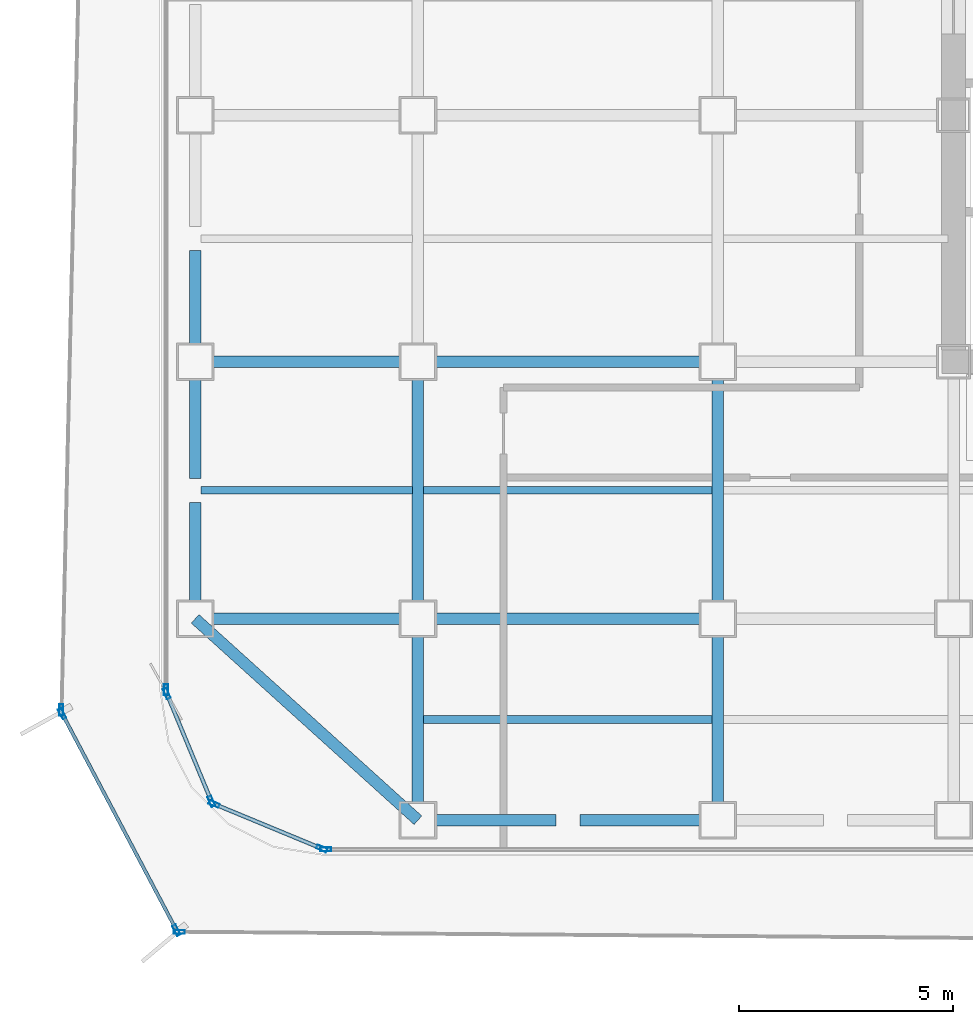
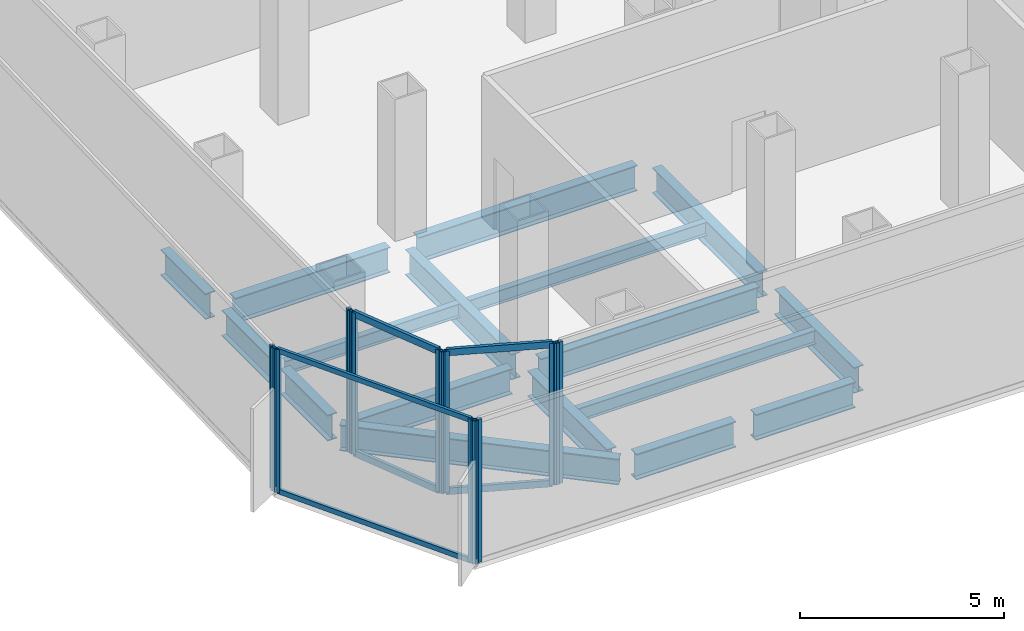
# One storey, part 2 of 21: 17 beams, 16 members, 7 elements without a shape of their own.
"""IFC4 building model written with IfcOpenShell, lengths in metres."""

import ifcopenshell
import ifcopenshell.guid

model = None  # the IFC model being written
_history = None  # IfcOwnerHistory: only IFC2X3 demands one
_inside = {}  # id of a spatial element -> (the spatial element, [elements in it])
_under = {}  # id of a project, library or spatial element -> (it, [spatial elements below it])
_declared = {}  # id of a project -> (the project, [libraries it declares])
_typed = {}  # id of a type object -> (the type object, [elements of that type])
_made_of = {}  # id of a material, layer set ... -> (it, [elements and type objects made of it])


def new_model(schema):
    """Start an empty IFC model of exactly this schema.

    Asked for "IFC4X3", IfcOpenShell would pick the latest addendum, in which some entities
    have other attributes; the version numbers below select the first issue.
    IFC2X3 requires an IfcOwnerHistory on every rooted entity: one is made here for all.
    """
    global model, _history
    if schema == "IFC4X3":
        model = ifcopenshell.file(schema_version=(4, 3, 0, 0))
    else:
        model = ifcopenshell.file(schema=schema)
    _inside.clear()
    _under.clear()
    _declared.clear()
    _typed.clear()
    _made_of.clear()
    _history = None
    if model.schema == "IFC2X3":
        org = make("IfcOrganization", Name="unknown")
        user = make(
            "IfcPersonAndOrganization",
            ThePerson=make("IfcPerson", FamilyName="unknown"),
            TheOrganization=org,
        )
        app = make(
            "IfcApplication",
            ApplicationDeveloper=org,
            Version="unknown",
            ApplicationFullName="unknown",
            ApplicationIdentifier="unknown",
        )
        _history = make(
            "IfcOwnerHistory",
            OwningUser=user,
            OwningApplication=app,
            ChangeAction="ADDED",
            CreationDate=0,
        )
    return model


def make(cls, **values):
    """One entity of the class cls with the attributes given. An attribute that is None is left unset."""
    return model.create_entity(
        cls, **{name: value for name, value in values.items() if value is not None}
    )


def rooted(cls, **values):
    """An entity with a GlobalId (a new one), such as an element, a storey or a relation."""
    return make(cls, GlobalId=ifcopenshell.guid.new(), OwnerHistory=_history, **values)


def si_unit(unit_type, name, prefix=None):
    """IfcSIUnit, for example si_unit("LENGTHUNIT", "METRE", prefix="MILLI")."""
    return make("IfcSIUnit", UnitType=unit_type, Prefix=prefix, Name=name)


def assignment(units):
    """IfcUnitAssignment: the units of a project."""
    return None if units is None else make("IfcUnitAssignment", Units=units)


def point(xyz):
    """IfcCartesianPoint."""
    return None if xyz is None else make("IfcCartesianPoint", Coordinates=xyz)


def direction(xyz):
    """IfcDirection."""
    return None if xyz is None else make("IfcDirection", DirectionRatios=xyz)


def frame(location, z_axis=None, x_axis=None):
    """IfcAxis2Placement3D, a coordinate frame: its origin and axes. An axis left out is left unset."""
    return make(
        "IfcAxis2Placement3D",
        Location=point(location),
        Axis=direction(z_axis),
        RefDirection=direction(x_axis),
    )


def frame_2d(location, x_axis=None):
    """IfcAxis2Placement2D, a coordinate frame in the plane: its origin and x axis."""
    return make(
        "IfcAxis2Placement2D", Location=point(location), RefDirection=direction(x_axis)
    )


def origin():
    """The frame at (0, 0, 0) with its axes left unset."""
    return frame((0.0, 0.0, 0.0))


def origin_2d():
    """The frame at (0, 0) in the plane with its x axis left unset."""
    return frame_2d((0.0, 0.0))


def place(relative_to, where):
    """IfcLocalPlacement: puts the frame where relative to a parent placement (None: the world)."""
    return make(
        "IfcLocalPlacement", PlacementRelTo=relative_to, RelativePlacement=where
    )


def context(
    kind, dimensions, precision=None, world=None, true_north=None, identifier=None
):
    """IfcGeometricRepresentationContext, for example the 3D "Model" context."""
    return make(
        "IfcGeometricRepresentationContext",
        ContextIdentifier=identifier,
        ContextType=kind,
        CoordinateSpaceDimension=dimensions,
        Precision=precision,
        WorldCoordinateSystem=world,
        TrueNorth=true_north,
    )


def subcontext(parent, identifier, kind, view, scale=None):
    """IfcGeometricRepresentationSubContext, for example "Body" below "Model"."""
    return make(
        "IfcGeometricRepresentationSubContext",
        ContextIdentifier=identifier,
        ContextType=kind,
        ParentContext=parent,
        TargetScale=scale,
        TargetView=view,
    )


def project(units=None, contexts=None):
    """IfcProject with its units and contexts."""
    return rooted(
        "IfcProject",
        Name="project",
        RepresentationContexts=contexts,
        UnitsInContext=assignment(units),
    )


def spatial(cls, under=None, at=None, **own):
    """A site, building, storey or space (cls), placed at a placement, below another one or the project."""
    s = rooted(cls, ObjectPlacement=at, **own)
    if under is not None:
        _under.setdefault(under.id(), (under, []))[1].append(s)
    return s


def profile(cls, at=None, kind="AREA", **sizes):
    """A parametric profile (cls). Its sizes go by their IFC names, for example OverallWidth=200.0."""
    return make(cls, ProfileType=kind, Position=at, **sizes)


def hollow_rectangle(**sizes):
    """IfcRectangleHollowProfileDef."""
    return profile("IfcRectangleHollowProfileDef", **sizes)


def i_section(**sizes):
    """IfcIShapeProfileDef."""
    return profile("IfcIShapeProfileDef", **sizes)


def extrude(swept, where, along, depth):
    """IfcExtrudedAreaSolid: the profile swept, set in the frame where, extruded along a direction by depth."""
    return make(
        "IfcExtrudedAreaSolid",
        SweptArea=swept,
        Position=where,
        ExtrudedDirection=direction(along),
        Depth=depth,
    )


def shape(context_of_items, identifier, shape_type, items):
    """IfcShapeRepresentation: the items that make up one representation, for example the "Body"."""
    return make(
        "IfcShapeRepresentation",
        ContextOfItems=context_of_items,
        RepresentationIdentifier=identifier,
        RepresentationType=shape_type,
        Items=items,
    )


def source(mapping_origin, context_of_items, identifier, shape_type, items):
    """IfcRepresentationMap: a shape defined once, which mapped items show again and again."""
    return make(
        "IfcRepresentationMap",
        MappingOrigin=mapping_origin,
        MappedRepresentation=shape(context_of_items, identifier, shape_type, items),
    )


def transform(
    local_origin,
    x_axis=None,
    y_axis=None,
    z_axis=None,
    scale=None,
    scale2=None,
    scale3=None,
    uniform=True,
):
    """IfcCartesianTransformationOperator3D, or its non-uniform kind. x_axis, y_axis, z_axis: its Axis1, 2, 3."""
    if uniform:
        return make(
            "IfcCartesianTransformationOperator3D",
            Axis1=direction(x_axis),
            Axis2=direction(y_axis),
            LocalOrigin=point(local_origin),
            Scale=scale,
            Axis3=direction(z_axis),
        )
    return make(
        "IfcCartesianTransformationOperator3DnonUniform",
        Axis1=direction(x_axis),
        Axis2=direction(y_axis),
        LocalOrigin=point(local_origin),
        Scale=scale,
        Axis3=direction(z_axis),
        Scale2=scale2,
        Scale3=scale3,
    )


def mapped(mapping_source, mapping_target):
    """IfcMappedItem: shows the shape of a source again, moved by a transform."""
    return make(
        "IfcMappedItem", MappingSource=mapping_source, MappingTarget=mapping_target
    )


def material(Name=None, Category=None):
    """IfcMaterial."""
    return make("IfcMaterial", Name=Name, Category=Category)


def layer(
    of_material, thickness, ventilated=None, Name=None, Category=None, Priority=None
):
    """IfcMaterialLayer: one layer of a wall or slab, of a material (None: an air gap)."""
    return make(
        "IfcMaterialLayer",
        Material=of_material,
        LayerThickness=thickness,
        IsVentilated=ventilated,
        Name=Name,
        Category=Category,
        Priority=Priority,
    )


def layer_set(layers, Name=None):
    """IfcMaterialLayerSet."""
    return make("IfcMaterialLayerSet", MaterialLayers=layers, LayerSetName=Name)


def material_profile(
    of_material, cross_section, Name=None, Category=None, Priority=None
):
    """IfcMaterialProfile: a cross section and its material."""
    return make(
        "IfcMaterialProfile",
        Name=Name,
        Material=of_material,
        Profile=cross_section,
        Priority=Priority,
        Category=Category,
    )


def profile_set(profiles, Name=None, composite=None):
    """IfcMaterialProfileSet."""
    return make(
        "IfcMaterialProfileSet",
        Name=Name,
        MaterialProfiles=profiles,
        CompositeProfile=composite,
    )


def made_of(thing, what):
    """Note that an element or type object is made of a material, layer set ...; save() writes the relation."""
    if what is not None:
        _made_of.setdefault(what.id(), (what, []))[1].append(thing)
    return thing


def type_object(cls, material=None, **own):
    """A type object (cls), such as IfcWallType, which elements share."""
    return made_of(rooted(cls, **own), material)


def element(
    cls,
    number,
    at=None,
    inside=None,
    cuts=None,
    type_object=None,
    material=None,
    context=None,
    identifier="Body",
    shape_type=None,
    held_by="IfcProductDefinitionShape",
    body=None,
    shapes=None,
    **own,
):
    """One element of the class cls, such as IfcWall. Its Tag is "e" and its number.

    at: its placement. inside: the storey or other place that contains it. cuts: it is an
    opening in that element (IfcRelVoidsElement). A single representation is given by context,
    identifier, shape_type and body (its items); several are given by shapes. held_by: the class
    of the entity that holds the representations. save() writes the other relations.
    """
    e = rooted(cls, Tag="e%d" % number, ObjectPlacement=at, **own)
    if body is not None:
        shapes = [shape(context, identifier, shape_type, body)]
    if shapes is not None:
        e.Representation = make(held_by, Representations=shapes)
    if inside is not None:
        _inside.setdefault(inside.id(), (inside, []))[1].append(e)
    if cuts is not None:
        rooted(
            "IfcRelVoidsElement", RelatingBuildingElement=cuts, RelatedOpeningElement=e
        )
    if type_object is not None:
        _typed.setdefault(type_object.id(), (type_object, []))[1].append(e)
    return made_of(e, material)


def aggregate(whole, parts):
    """IfcRelAggregates: a whole, such as a stair, and the parts it consists of."""
    return rooted("IfcRelAggregates", RelatingObject=whole, RelatedObjects=parts)


def save(model, path):
    """Write the relations noted so far, then the file.

    IfcRelAggregates (storeys below a building ...), IfcRelContainedInSpatialStructure (elements
    in a storey), IfcRelDefinesByType, IfcRelAssociatesMaterial and IfcRelDeclares: one each for
    every whole, place, type object, material and project.
    """
    for whole, parts in _under.values():
        aggregate(whole, parts)
    for where, things in _inside.values():
        rooted(
            "IfcRelContainedInSpatialStructure",
            RelatedElements=things,
            RelatingStructure=where,
        )
    for kind, things in _typed.values():
        rooted("IfcRelDefinesByType", RelatedObjects=things, RelatingType=kind)
    for what, things in _made_of.values():
        rooted("IfcRelAssociatesMaterial", RelatedObjects=things, RelatingMaterial=what)
    for by, libraries in _declared.values():
        rooted("IfcRelDeclares", RelatingContext=by, RelatedDefinitions=libraries)
    model.write(path)


model = new_model("IFC4")

# Units and contexts
model_context = context("Model", 3, precision=1e-05, world=origin(), true_north=direction((0.0, 1.0)))
body_context = subcontext(model_context, "Body", "Model", "MODEL_VIEW")
ifc_project = project(units=[si_unit("LENGTHUNIT", "METRE"), si_unit("AREAUNIT", "SQUARE_METRE"), si_unit("VOLUMEUNIT", "CUBIC_METRE"), si_unit("PLANEANGLEUNIT", "RADIAN"), si_unit("MASSUNIT", "GRAM", prefix="KILO")], contexts=[model_context])

# Site, building, storey
site_placement = place(None, origin())
site = spatial("IfcSite", under=ifc_project, at=site_placement, CompositionType="ELEMENT")
building_placement = place(site_placement, origin())
building = spatial("IfcBuilding", under=site, at=building_placement, Name="Kolveth Station Tower", CompositionType="ELEMENT")
storey_placement = place(building_placement, frame((0.0, 0.0, 88.199951171875)))
storey = spatial("IfcBuildingStorey", under=building, at=storey_placement, Name="L23", CompositionType="ELEMENT", Elevation=88.199951171875)

# Beams
ifc_material_1 = material(Name="Steel S355", Category="steel")
ifc_material_profile_1 = material_profile(ifc_material_1, i_section(OverallWidth=0.26904296875, OverallDepth=0.77490234375, WebThickness=0.01708984375, FlangeThickness=0.0283203125, at=origin_2d()), Name="W760x220")
ifc_profile_set_1 = profile_set([ifc_material_profile_1], Name="Steel S355")
beam_type_1 = type_object("IfcBeamType", Name="Beam_SP1", PredefinedType="SPANDREL", material=ifc_profile_set_1)
shared_shape_1 = source(origin(), body_context, "Body", "SweptSolid", [
    extrude(i_section(OverallWidth=0.26904296875, OverallDepth=0.77490234375, WebThickness=0.01708984375, FlangeThickness=0.0283203125, at=origin_2d()), origin(), (0.0, 0.0, 1.0), 7.00927734375),
])
beam_1_placement = place(storey_placement, frame((0.800048828125, 5.5, -0.74755859375), z_axis=(0.741874009795, -0.670539300557, 0.0), x_axis=(0.670539300557, 0.741874009795, 0.0)))
element("IfcBeam", 1, at=beam_1_placement, inside=storey, type_object=beam_type_1, Name="L23 Corner Edge Girder BM-L23-CNR-SW", PredefinedType="SPANDREL", context=body_context, shape_type="MappedRepresentation", body=[
    mapped(shared_shape_1, transform((0.0, 0.0, 0.0), x_axis=(1.0, 0.0, 0.0), y_axis=(0.0, 1.0, 0.0), z_axis=(0.0, 0.0, 1.0), scale=1.0)),
])
shared_shape_2 = source(origin(), body_context, "Body", "SweptSolid", [
    extrude(i_section(OverallWidth=0.26904296875, OverallDepth=0.77490234375, WebThickness=0.01708984375, FlangeThickness=0.0283203125, at=origin_2d()), origin(), (0.0, 0.0, 1.0), 2.820068359375),
])
for number, where, z_axis, x_axis, name in (
    (2, (6.39990234375, 0.800048828125, -0.74755859375), (1.0, 0.0, 0.0), (0.0, 1.0, 0.0), "L23 Perimeter Spandrel BM-L23-PS-1"),
    (3, (9.780029296875, 0.800048828125, -0.74755859375), (1.0, 0.0, 0.0), (0.0, 1.0, 0.0), "L23 Perimeter Spandrel BM-L23-PS-2"),
):
    element("IfcBeam", number, at=place(storey_placement, frame(where, z_axis=z_axis, x_axis=x_axis)), inside=storey, type_object=beam_type_1, Name=name, PredefinedType="SPANDREL", context=body_context, shape_type="MappedRepresentation", body=[
        mapped(shared_shape_2, transform((0.0, 0.0, 0.0), x_axis=(1.0, 0.0, 0.0), y_axis=(0.0, 1.0, 0.0), z_axis=(0.0, 0.0, 1.0), scale=1.0)),
    ])
shared_shape_3 = source(origin(), body_context, "Body", "SweptSolid", [
    extrude(i_section(OverallWidth=0.26904296875, OverallDepth=0.77490234375, WebThickness=0.01708984375, FlangeThickness=0.0283203125, at=origin_2d()), origin(), (0.0, 0.0, 1.0), 2.320068359375),
])
for number, where, z_axis, x_axis, name in (
    (4, (0.800048828125, 5.89990234375, -0.74755859375), (0.0, 1.0, 0.0), (-1.0, 0.0, 0.0), "L23 Perimeter Spandrel BM-L23-PW-1"),
    (5, (0.800048828125, 8.780029296875, -0.74755859375), (0.0, 1.0, 0.0), (-1.0, 0.0, 0.0), "L23 Perimeter Spandrel BM-L23-PW-2"),
):
    element("IfcBeam", number, at=place(storey_placement, frame(where, z_axis=z_axis, x_axis=x_axis)), inside=storey, type_object=beam_type_1, Name=name, PredefinedType="SPANDREL", context=body_context, shape_type="MappedRepresentation", body=[
        mapped(shared_shape_3, transform((0.0, 0.0, 0.0), x_axis=(1.0, 0.0, 0.0), y_axis=(0.0, 1.0, 0.0), z_axis=(0.0, 0.0, 1.0), scale=1.0)),
    ])
shared_shape_4 = source(origin(), body_context, "Body", "SweptSolid", [
    extrude(i_section(OverallWidth=0.26904296875, OverallDepth=0.77490234375, WebThickness=0.01708984375, FlangeThickness=0.0283203125, at=origin_2d()), origin(), (0.0, 0.0, 1.0), 2.2001953125),
])
beam_2_placement = place(storey_placement, frame((0.800048828125, 11.89990234375, -0.74755859375), z_axis=(0.0, 1.0, 0.0), x_axis=(-1.0, 0.0, 0.0)))
element("IfcBeam", 6, at=beam_2_placement, inside=storey, type_object=beam_type_1, Name="L23 Perimeter Spandrel BM-L23-PW-3", PredefinedType="SPANDREL", context=body_context, shape_type="MappedRepresentation", body=[
    mapped(shared_shape_4, transform((0.0, 0.0, 0.0), x_axis=(1.0, 0.0, 0.0), y_axis=(0.0, 1.0, 0.0), z_axis=(0.0, 0.0, 1.0), scale=1.0)),
])
ifc_material_profile_2 = material_profile(ifc_material_1, i_section(OverallWidth=0.26708984375, OverallDepth=0.76611328125, WebThickness=0.014892578125, FlangeThickness=0.023681640625, at=origin_2d()), Name="W760x185")
ifc_profile_set_2 = profile_set([ifc_material_profile_2], Name="Steel S355")
beam_type_2 = type_object("IfcBeamType", Name="Beam_B3", PredefinedType="BEAM", material=ifc_profile_set_2)
shared_shape_5 = source(origin(), body_context, "Body", "SweptSolid", [
    extrude(i_section(OverallWidth=0.26708984375, OverallDepth=0.76611328125, WebThickness=0.014892578125, FlangeThickness=0.023681640625, at=origin_2d()), origin(), (0.0, 0.0, 1.0), 4.400146484375),
])
for number, where, z_axis, x_axis, name in (
    (7, (1.199951171875, 5.5, -0.742919921875), (1.0, 0.0, 0.0), (0.0, 1.0, 0.0), "L23 Primary Girder BM-L23-GY55-1"),
    (8, (1.199951171875, 11.5, -0.742919921875), (1.0, 0.0, 0.0), (0.0, 1.0, 0.0), "L23 Primary Girder BM-L23-GY115-1"),
):
    element("IfcBeam", number, at=place(storey_placement, frame(where, z_axis=z_axis, x_axis=x_axis)), inside=storey, type_object=beam_type_2, Name=name, PredefinedType="BEAM", context=body_context, shape_type="MappedRepresentation", body=[
        mapped(shared_shape_5, transform((0.0, 0.0, 0.0), x_axis=(1.0, 0.0, 0.0), y_axis=(0.0, 1.0, 0.0), z_axis=(0.0, 0.0, 1.0), scale=1.0)),
    ])
shared_shape_6 = source(origin(), body_context, "Body", "SweptSolid", [
    extrude(i_section(OverallWidth=0.26708984375, OverallDepth=0.76611328125, WebThickness=0.014892578125, FlangeThickness=0.023681640625, at=origin_2d()), origin(), (0.0, 0.0, 1.0), 6.2001953125),
])
for number, where, z_axis, x_axis, name in (
    (9, (6.39990234375, 5.5, -0.742919921875), (1.0, 0.0, 0.0), (0.0, 1.0, 0.0), "L23 Primary Girder BM-L23-GY55-2"),
    (10, (6.39990234375, 11.5, -0.742919921875), (1.0, 0.0, 0.0), (0.0, 1.0, 0.0), "L23 Primary Girder BM-L23-GY115-2"),
):
    element("IfcBeam", number, at=place(storey_placement, frame(where, z_axis=z_axis, x_axis=x_axis)), inside=storey, type_object=beam_type_2, Name=name, PredefinedType="BEAM", context=body_context, shape_type="MappedRepresentation", body=[
        mapped(shared_shape_6, transform((0.0, 0.0, 0.0), x_axis=(1.0, 0.0, 0.0), y_axis=(0.0, 1.0, 0.0), z_axis=(0.0, 0.0, 1.0), scale=1.0)),
    ])
shared_shape_7 = source(origin(), body_context, "Body", "SweptSolid", [
    extrude(i_section(OverallWidth=0.26708984375, OverallDepth=0.76611328125, WebThickness=0.014892578125, FlangeThickness=0.023681640625, at=origin_2d()), origin(), (0.0, 0.0, 1.0), 3.900146484375),
])
for number, where, z_axis, x_axis, name in (
    (11, (6.0, 1.199951171875, -0.742919921875), (0.0, 1.0, 0.0), (-1.0, 0.0, 0.0), "L23 Primary Girder BM-L23-GX60-1"),
    (12, (13.0, 1.199951171875, -0.742919921875), (0.0, 1.0, 0.0), (-1.0, 0.0, 0.0), "L23 Primary Girder BM-L23-GX130-1"),
):
    element("IfcBeam", number, at=place(storey_placement, frame(where, z_axis=z_axis, x_axis=x_axis)), inside=storey, type_object=beam_type_2, Name=name, PredefinedType="BEAM", context=body_context, shape_type="MappedRepresentation", body=[
        mapped(shared_shape_7, transform((0.0, 0.0, 0.0), x_axis=(1.0, 0.0, 0.0), y_axis=(0.0, 1.0, 0.0), z_axis=(0.0, 0.0, 1.0), scale=1.0)),
    ])
shared_shape_8 = source(origin(), body_context, "Body", "SweptSolid", [
    extrude(i_section(OverallWidth=0.26708984375, OverallDepth=0.76611328125, WebThickness=0.014892578125, FlangeThickness=0.023681640625, at=origin_2d()), origin(), (0.0, 0.0, 1.0), 5.2001953125),
])
for number, where, z_axis, x_axis, name in (
    (13, (6.0, 5.89990234375, -0.742919921875), (0.0, 1.0, 0.0), (-1.0, 0.0, 0.0), "L23 Primary Girder BM-L23-GX60-2"),
    (14, (13.0, 5.89990234375, -0.742919921875), (0.0, 1.0, 0.0), (-1.0, 0.0, 0.0), "L23 Primary Girder BM-L23-GX130-2"),
):
    element("IfcBeam", number, at=place(storey_placement, frame(where, z_axis=z_axis, x_axis=x_axis)), inside=storey, type_object=beam_type_2, Name=name, PredefinedType="BEAM", context=body_context, shape_type="MappedRepresentation", body=[
        mapped(shared_shape_8, transform((0.0, 0.0, 0.0), x_axis=(1.0, 0.0, 0.0), y_axis=(0.0, 1.0, 0.0), z_axis=(0.0, 0.0, 1.0), scale=1.0)),
    ])
ifc_material_profile_3 = material_profile(ifc_material_1, i_section(OverallWidth=0.177978515625, OverallDepth=0.406982421875, WebThickness=0.0078125, FlangeThickness=0.0126953125, at=origin_2d()), Name="W410x60")
ifc_profile_set_3 = profile_set([ifc_material_profile_3], Name="Steel S355")
beam_type_3 = type_object("IfcBeamType", Name="Beam_J1", PredefinedType="JOIST", material=ifc_profile_set_3)
shared_shape_9 = source(origin(), body_context, "Body", "SweptSolid", [
    extrude(i_section(OverallWidth=0.177978515625, OverallDepth=0.406982421875, WebThickness=0.0078125, FlangeThickness=0.0126953125, at=origin_2d()), origin(), (0.0, 0.0, 1.0), 4.935791015625),
])
beam_3_placement = place(storey_placement, frame((0.9326171875, 8.5, -0.5634765625), z_axis=(1.0, 0.0, 0.0), x_axis=(0.0, 1.0, 0.0)))
element("IfcBeam", 15, at=beam_3_placement, inside=storey, type_object=beam_type_3, Name="L23 Secondary Joist JST-L23-1-2", PredefinedType="JOIST", context=body_context, shape_type="MappedRepresentation", body=[
    mapped(shared_shape_9, transform((0.0, 0.0, 0.0), x_axis=(1.0, 0.0, 0.0), y_axis=(0.0, 1.0, 0.0), z_axis=(0.0, 0.0, 1.0), scale=1.0)),
])
shared_shape_10 = source(origin(), body_context, "Body", "SweptSolid", [
    extrude(i_section(OverallWidth=0.177978515625, OverallDepth=0.406982421875, WebThickness=0.0078125, FlangeThickness=0.0126953125, at=origin_2d()), origin(), (0.0, 0.0, 1.0), 6.73681640625),
])
for number, where, z_axis, x_axis, name in (
    (16, (6.131591796875, 3.14990234375, -0.5634765625), (1.0, 0.0, 0.0), (0.0, 1.0, 0.0), "L23 Secondary Joist JST-L23-2-1"),
    (17, (6.131591796875, 8.5, -0.5634765625), (1.0, 0.0, 0.0), (0.0, 1.0, 0.0), "L23 Secondary Joist JST-L23-2-2"),
):
    element("IfcBeam", number, at=place(storey_placement, frame(where, z_axis=z_axis, x_axis=x_axis)), inside=storey, type_object=beam_type_3, Name=name, PredefinedType="JOIST", context=body_context, shape_type="MappedRepresentation", body=[
        mapped(shared_shape_10, transform((0.0, 0.0, 0.0), x_axis=(1.0, 0.0, 0.0), y_axis=(0.0, 1.0, 0.0), z_axis=(0.0, 0.0, 1.0), scale=1.0)),
    ])

# Curtain wall, member
ifc_material_2 = material(Name="Aluminium 6063-T6 and acoustic laminated dark glass", Category="aluminium")
ifc_layer_1 = layer(ifc_material_2, 0.219970703125)
ifc_layer_set_1 = layer_set([ifc_layer_1], Name="Aluminium 6063-T6 and acoustic laminated dark glass")
curtain_wall_type_1 = type_object("IfcCurtainWallType", Name="CurtainWall_CW-SL", PredefinedType="NOTDEFINED", material=ifc_layer_set_1)
curtain_wall_1_placement = place(storey_placement, origin())
curtain_wall_1 = element("IfcCurtainWall", 18, at=curtain_wall_1_placement, inside=storey, type_object=curtain_wall_type_1, Name="L23 Inner Thermal Curtain Wall 9", PredefinedType="NOTDEFINED")
ifc_material_3 = material(Name="Black anodized aluminium 6063-T6", Category="aluminium")
ifc_material_profile_4 = material_profile(ifc_material_3, hollow_rectangle(XDim=0.094970703125, YDim=0.25, WallThickness=0.0048828125, at=origin_2d()), Name="ALU-95x250x5")
ifc_profile_set_4 = profile_set([ifc_material_profile_4], Name="Black anodized aluminium 6063-T6")
member_type_1 = type_object("IfcMemberType", Name="Mullion_ML-SL", PredefinedType="MULLION", material=ifc_profile_set_4)
shared_shape_11 = source(origin(), body_context, "Body", "SweptSolid", [
    extrude(hollow_rectangle(XDim=0.094970703125, YDim=0.25, WallThickness=0.0048828125, at=origin_2d()), origin(), (0.0, 0.0, 1.0), 4.25),
])
member_1_placement = place(storey_placement, frame((0.1201171875, 3.847412109375, 0.0), z_axis=(0.0, 0.0, 1.0), x_axis=(1.0, 0.0, 0.0)))
member_1 = element("IfcMember", 19, at=member_1_placement, type_object=member_type_1, Name="CW-SL mullion 2", PredefinedType="MULLION", context=body_context, shape_type="MappedRepresentation", body=[
    mapped(shared_shape_11, transform((0.0, 0.0, 0.0), x_axis=(1.0, 0.0, 0.0), y_axis=(0.0, 1.0, 0.0), z_axis=(0.0, 0.0, 1.0), scale=1.0)),
])
aggregate(curtain_wall_1, [member_1])

# Curtain wall, members
curtain_wall_2_placement = place(storey_placement, origin())
curtain_wall_2 = element("IfcCurtainWall", 20, at=curtain_wall_2_placement, inside=storey, type_object=curtain_wall_type_1, Name="L23 Inner Thermal Curtain Wall 10", PredefinedType="NOTDEFINED")
member_2_placement = place(storey_placement, frame((0.13818359375, 3.756103515625, 0.0), z_axis=(0.0, 0.0, 1.0), x_axis=(0.923887883787, 0.38266326998, 0.0)))
member_2 = element("IfcMember", 21, at=member_2_placement, type_object=member_type_1, Name="CW-SL mullion 1", PredefinedType="MULLION", context=body_context, shape_type="MappedRepresentation", body=[
    mapped(shared_shape_11, transform((0.0, 0.0, 0.0), x_axis=(1.0, 0.0, 0.0), y_axis=(0.0, 1.0, 0.0), z_axis=(0.0, 0.0, 1.0), scale=1.0)),
])
member_3_placement = place(storey_placement, frame((1.1796875, 1.24169921875, 0.0), z_axis=(0.0, 0.0, 1.0), x_axis=(0.923887883787, 0.38266326998, 0.0)))
member_3 = element("IfcMember", 22, at=member_3_placement, type_object=member_type_1, Name="CW-SL mullion 2", PredefinedType="MULLION", context=body_context, shape_type="MappedRepresentation", body=[
    mapped(shared_shape_11, transform((0.0, 0.0, 0.0), x_axis=(1.0, 0.0, 0.0), y_axis=(0.0, 1.0, 0.0), z_axis=(0.0, 0.0, 1.0), scale=1.0)),
])

curtain_wall_3_placement = place(storey_placement, origin())
curtain_wall_3 = element("IfcCurtainWall", 23, at=curtain_wall_3_placement, inside=storey, type_object=curtain_wall_type_1, Name="L23 Inner Thermal Curtain Wall 11", PredefinedType="NOTDEFINED")
member_4_placement = place(storey_placement, frame((1.24169921875, 1.1796875, 0.0), z_axis=(0.0, 0.0, 1.0), x_axis=(0.38266326998, 0.923887883787, 0.0)))
member_4 = element("IfcMember", 24, at=member_4_placement, type_object=member_type_1, Name="CW-SL mullion 1", PredefinedType="MULLION", context=body_context, shape_type="MappedRepresentation", body=[
    mapped(shared_shape_11, transform((0.0, 0.0, 0.0), x_axis=(1.0, 0.0, 0.0), y_axis=(0.0, 1.0, 0.0), z_axis=(0.0, 0.0, 1.0), scale=1.0)),
])
member_5_placement = place(storey_placement, frame((3.756103515625, 0.13818359375, 0.0), z_axis=(0.0, 0.0, 1.0), x_axis=(0.38266326998, 0.923887883787, 0.0)))
member_5 = element("IfcMember", 25, at=member_5_placement, type_object=member_type_1, Name="CW-SL mullion 2", PredefinedType="MULLION", context=body_context, shape_type="MappedRepresentation", body=[
    mapped(shared_shape_11, transform((0.0, 0.0, 0.0), x_axis=(1.0, 0.0, 0.0), y_axis=(0.0, 1.0, 0.0), z_axis=(0.0, 0.0, 1.0), scale=1.0)),
])

# Curtain wall, member
curtain_wall_4_placement = place(storey_placement, origin())
curtain_wall_4 = element("IfcCurtainWall", 26, at=curtain_wall_4_placement, inside=storey, type_object=curtain_wall_type_1, Name="L23 Inner Thermal Curtain Wall 12", PredefinedType="NOTDEFINED")
member_6_placement = place(storey_placement, frame((3.847412109375, 0.1201171875, 0.0), z_axis=(0.0, 0.0, 1.0), x_axis=(0.0, 1.0, 0.0)))
member_6 = element("IfcMember", 27, at=member_6_placement, type_object=member_type_1, Name="CW-SL mullion 1", PredefinedType="MULLION", context=body_context, shape_type="MappedRepresentation", body=[
    mapped(shared_shape_11, transform((0.0, 0.0, 0.0), x_axis=(1.0, 0.0, 0.0), y_axis=(0.0, 1.0, 0.0), z_axis=(0.0, 0.0, 1.0), scale=1.0)),
])
aggregate(curtain_wall_4, [member_6])

# Member
ifc_material_profile_5 = material_profile(ifc_material_3, hollow_rectangle(XDim=0.090087890625, YDim=0.199951171875, WallThickness=0.0048828125, at=origin_2d()), Name="ALU-90x200x5")
ifc_profile_set_5 = profile_set([ifc_material_profile_5], Name="Black anodized aluminium 6063-T6")
member_type_2 = type_object("IfcMemberType", Name="Transom_TR-SL", PredefinedType="USERDEFINED", material=ifc_profile_set_5)
shared_shape_12 = source(origin(), body_context, "Body", "SweptSolid", [
    extrude(hollow_rectangle(XDim=0.090087890625, YDim=0.199951171875, WallThickness=0.0048828125, at=origin_2d()), origin(), (0.0, 0.0, 1.0), 2.62646484375),
])
member_7_placement = place(storey_placement, frame((0.15625, 3.712158203125, 0.045166015625), z_axis=(0.382693858119, -0.923875213954, 0.0), x_axis=(0.923875213954, 0.382693858119, 0.0)))
member_7 = element("IfcMember", 28, at=member_7_placement, type_object=member_type_2, Name="CW-SL transom 1.1", ObjectType="TRANSOM", PredefinedType="USERDEFINED", context=body_context, shape_type="MappedRepresentation", body=[
    mapped(shared_shape_12, transform((0.0, 0.0, 0.0), x_axis=(1.0, 0.0, 0.0), y_axis=(0.0, 1.0, 0.0), z_axis=(0.0, 0.0, 1.0), scale=1.0)),
])

member_8_placement = place(storey_placement, frame((0.15625, 3.712158203125, 4.205078125), z_axis=(0.382693858119, -0.923875213954, 0.0), x_axis=(0.923875213954, 0.382693858119, 0.0)))
member_8 = element("IfcMember", 29, at=member_8_placement, type_object=member_type_2, Name="CW-SL transom 1.2", ObjectType="TRANSOM", PredefinedType="USERDEFINED", context=body_context, shape_type="MappedRepresentation", body=[
    mapped(shared_shape_12, transform((0.0, 0.0, 0.0), x_axis=(1.0, 0.0, 0.0), y_axis=(0.0, 1.0, 0.0), z_axis=(0.0, 0.0, 1.0), scale=1.0)),
])

aggregate(curtain_wall_2, [member_2, member_3, member_7, member_8])

member_9_placement = place(storey_placement, frame((1.28564453125, 1.161376953125, 0.045166015625), z_axis=(0.923875213954, -0.382693858119, 0.0), x_axis=(0.382693858119, 0.923875213954, 0.0)))
member_9 = element("IfcMember", 30, at=member_9_placement, type_object=member_type_2, Name="CW-SL transom 1.1", ObjectType="TRANSOM", PredefinedType="USERDEFINED", context=body_context, shape_type="MappedRepresentation", body=[
    mapped(shared_shape_12, transform((0.0, 0.0, 0.0), x_axis=(1.0, 0.0, 0.0), y_axis=(0.0, 1.0, 0.0), z_axis=(0.0, 0.0, 1.0), scale=1.0)),
])

member_10_placement = place(storey_placement, frame((1.28564453125, 1.161376953125, 4.205078125), z_axis=(0.923875213954, -0.382693858119, 0.0), x_axis=(0.382693858119, 0.923875213954, 0.0)))
member_10 = element("IfcMember", 31, at=member_10_placement, type_object=member_type_2, Name="CW-SL transom 1.2", ObjectType="TRANSOM", PredefinedType="USERDEFINED", context=body_context, shape_type="MappedRepresentation", body=[
    mapped(shared_shape_12, transform((0.0, 0.0, 0.0), x_axis=(1.0, 0.0, 0.0), y_axis=(0.0, 1.0, 0.0), z_axis=(0.0, 0.0, 1.0), scale=1.0)),
])

aggregate(curtain_wall_3, [member_4, member_5, member_9, member_10])

# Curtain wall, member
ifc_material_4 = material(Name="Black anodized aluminium 6063-T6 and dark solar glass", Category="aluminium")
ifc_layer_2 = layer(ifc_material_4, 0.159912109375)
ifc_layer_set_2 = layer_set([ifc_layer_2], Name="Black anodized aluminium 6063-T6 and dark solar glass")
curtain_wall_type_2 = type_object("IfcCurtainWallType", Name="OUTER SKIN CW-OS", PredefinedType="NOTDEFINED", material=ifc_layer_set_2)
curtain_wall_5_placement = place(storey_placement, origin())
curtain_wall_5 = element("IfcCurtainWall", 32, at=curtain_wall_5_placement, inside=storey, type_object=curtain_wall_type_2, Name="L23 Outer Ventilated Skin Curtain Wall 6", PredefinedType="NOTDEFINED")
ifc_material_profile_6 = material_profile(ifc_material_3, hollow_rectangle(XDim=0.090087890625, YDim=0.260009765625, WallThickness=0.0048828125, at=origin_2d()), Name="ALU-90x260x5")
ifc_profile_set_6 = profile_set([ifc_material_profile_6], Name="Black anodized aluminium 6063-T6")
member_type_3 = type_object("IfcMemberType", Name="FIN MULLION ML-OS", PredefinedType="MULLION", material=ifc_profile_set_6)
shared_shape_13 = source(origin(), body_context, "Body", "SweptSolid", [
    extrude(hollow_rectangle(XDim=0.090087890625, YDim=0.260009765625, WallThickness=0.0048828125, at=origin_2d()), origin(), (0.0, 0.0, 1.0), 4.2900390625),
])
member_11_placement = place(storey_placement, frame((-2.32421875, 3.372314453125, 0.0), z_axis=(0.0, 0.0, 1.0), x_axis=(0.999726228274, -0.023398044824, 0.0)))
member_11 = element("IfcMember", 33, at=member_11_placement, type_object=member_type_3, Name="CW-OS mullion 2", PredefinedType="MULLION", context=body_context, shape_type="MappedRepresentation", body=[
    mapped(shared_shape_13, transform((0.0, 0.0, 0.0), x_axis=(1.0, 0.0, 0.0), y_axis=(0.0, 1.0, 0.0), z_axis=(0.0, 0.0, 1.0), scale=1.0)),
])
aggregate(curtain_wall_5, [member_11])

# Curtain wall, members
curtain_wall_6_placement = place(storey_placement, origin())
curtain_wall_6 = element("IfcCurtainWall", 34, at=curtain_wall_6_placement, inside=storey, type_object=curtain_wall_type_2, Name="L23 Outer Ventilated Skin Curtain Wall 7", PredefinedType="NOTDEFINED")
member_12_placement = place(storey_placement, frame((-2.30419921875, 3.28759765625, 0.0), z_axis=(0.0, 0.0, 1.0), x_axis=(0.884330242472, 0.466861887767, 0.0)))
member_12 = element("IfcMember", 35, at=member_12_placement, type_object=member_type_3, Name="CW-OS mullion 1", PredefinedType="MULLION", context=body_context, shape_type="MappedRepresentation", body=[
    mapped(shared_shape_13, transform((0.0, 0.0, 0.0), x_axis=(1.0, 0.0, 0.0), y_axis=(0.0, 1.0, 0.0), z_axis=(0.0, 0.0, 1.0), scale=1.0)),
])
member_13_placement = place(storey_placement, frame((0.364501953125, -1.767578125, 0.0), z_axis=(0.0, 0.0, 1.0), x_axis=(0.884330242472, 0.466861887767, 0.0)))
member_13 = element("IfcMember", 36, at=member_13_placement, type_object=member_type_3, Name="CW-OS mullion 2", PredefinedType="MULLION", context=body_context, shape_type="MappedRepresentation", body=[
    mapped(shared_shape_13, transform((0.0, 0.0, 0.0), x_axis=(1.0, 0.0, 0.0), y_axis=(0.0, 1.0, 0.0), z_axis=(0.0, 0.0, 1.0), scale=1.0)),
])

# Curtain wall, member
curtain_wall_7_placement = place(storey_placement, origin())
curtain_wall_7 = element("IfcCurtainWall", 37, at=curtain_wall_7_placement, inside=storey, type_object=curtain_wall_type_2, Name="L23 Outer Ventilated Skin Curtain Wall 8", PredefinedType="NOTDEFINED")
member_14_placement = place(storey_placement, frame((0.4306640625, -1.807861328125, 0.0), z_axis=(0.0, 0.0, 1.0), x_axis=(0.007794144651, 0.999969625193, 0.0)))
member_14 = element("IfcMember", 38, at=member_14_placement, type_object=member_type_3, Name="CW-OS mullion 1", PredefinedType="MULLION", context=body_context, shape_type="MappedRepresentation", body=[
    mapped(shared_shape_13, transform((0.0, 0.0, 0.0), x_axis=(1.0, 0.0, 0.0), y_axis=(0.0, 1.0, 0.0), z_axis=(0.0, 0.0, 1.0), scale=1.0)),
])
aggregate(curtain_wall_7, [member_14])

# Member
ifc_material_profile_7 = material_profile(ifc_material_3, hollow_rectangle(XDim=0.080078125, YDim=0.14990234375, WallThickness=0.0048828125, at=origin_2d()), Name="ALU-80x150x5")
ifc_profile_set_7 = profile_set([ifc_material_profile_7], Name="Black anodized aluminium 6063-T6")
member_type_4 = type_object("IfcMemberType", Name="Transom_TR-OS", PredefinedType="USERDEFINED", material=ifc_profile_set_7)
shared_shape_14 = source(origin(), body_context, "Body", "SweptSolid", [
    extrude(hollow_rectangle(XDim=0.080078125, YDim=0.14990234375, WallThickness=0.0048828125, at=origin_2d()), origin(), (0.0, 0.0, 1.0), 5.62646484375),
])
member_15_placement = place(storey_placement, frame((-2.283203125, 3.247802734375, 0.0400390625), z_axis=(0.466856661584, -0.884333001496, 0.0), x_axis=(0.884333001496, 0.466856661584, 0.0)))
member_15 = element("IfcMember", 39, at=member_15_placement, type_object=member_type_4, Name="CW-OS transom 1.1", ObjectType="TRANSOM", PredefinedType="USERDEFINED", context=body_context, shape_type="MappedRepresentation", body=[
    mapped(shared_shape_14, transform((0.0, 0.0, 0.0), x_axis=(1.0, 0.0, 0.0), y_axis=(0.0, 1.0, 0.0), z_axis=(0.0, 0.0, 1.0), scale=1.0)),
])

member_16_placement = place(storey_placement, frame((-2.283203125, 3.247802734375, 4.25), z_axis=(0.466856661584, -0.884333001496, 0.0), x_axis=(0.884333001496, 0.466856661584, 0.0)))
member_16 = element("IfcMember", 40, at=member_16_placement, type_object=member_type_4, Name="CW-OS transom 1.2", ObjectType="TRANSOM", PredefinedType="USERDEFINED", context=body_context, shape_type="MappedRepresentation", body=[
    mapped(shared_shape_14, transform((0.0, 0.0, 0.0), x_axis=(1.0, 0.0, 0.0), y_axis=(0.0, 1.0, 0.0), z_axis=(0.0, 0.0, 1.0), scale=1.0)),
])

aggregate(curtain_wall_6, [member_12, member_13, member_15, member_16])

save(model, "model.ifc")
